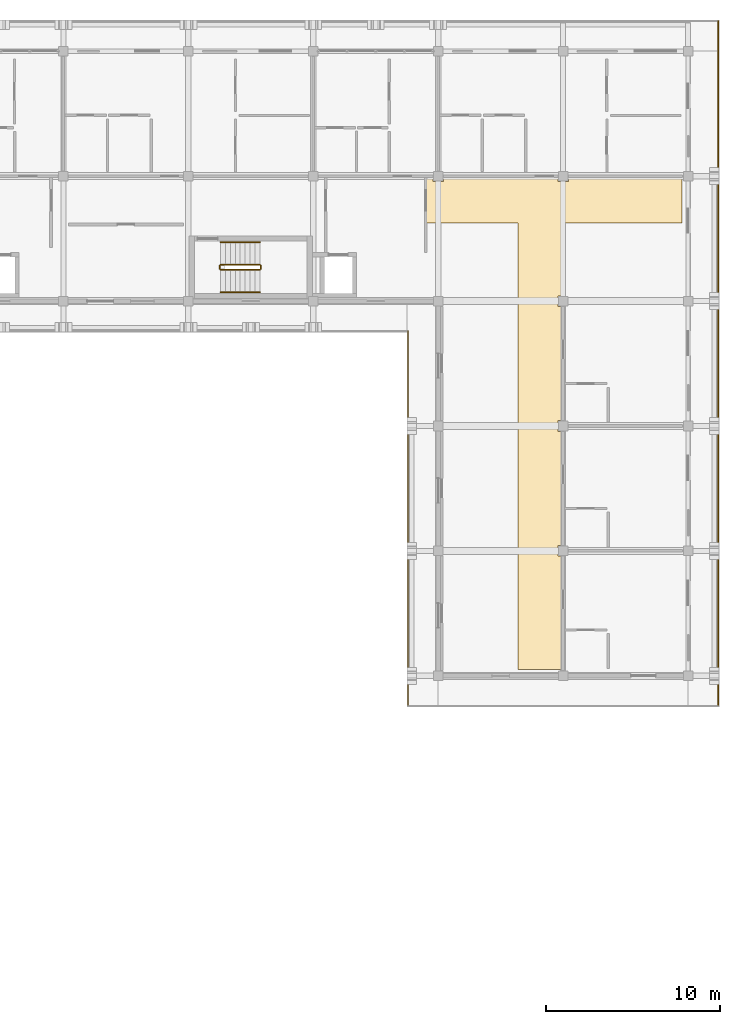
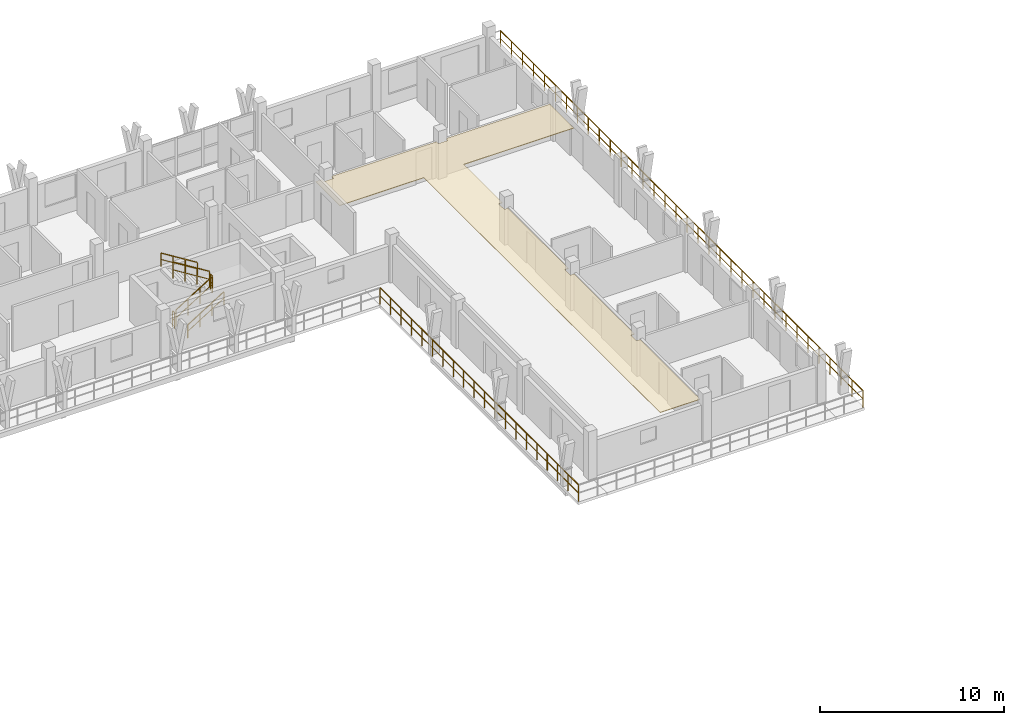
# One storey, part 66 of 67: 8 railings, 1 covering.
"""IFC4 building model written with IfcOpenShell, lengths in metres."""

from ifc_helpers import new_model, si_unit, direction, frame, origin, origin_2d, place, context, subcontext, project, spatial, polyline, rectangle, outline, extrude, material, layer, layer_set, type_object, element, save


model = new_model("IFC4")

# Units and contexts
model_context = context("Model", 3, precision=1e-05, world=origin(), true_north=direction((0.0, 1.0)))
body_context = subcontext(model_context, "Body", "Model", "MODEL_VIEW")
ifc_project = project(units=[si_unit("LENGTHUNIT", "METRE"), si_unit("AREAUNIT", "SQUARE_METRE"), si_unit("VOLUMEUNIT", "CUBIC_METRE"), si_unit("PLANEANGLEUNIT", "RADIAN"), si_unit("MASSUNIT", "GRAM", prefix="KILO")], contexts=[model_context])

# Site, building, storey
site_placement = place(None, origin())
site = spatial("IfcSite", under=ifc_project, at=site_placement, CompositionType="ELEMENT")
building_placement = place(site_placement, origin())
building = spatial("IfcBuilding", under=site, at=building_placement, Name="Suanplinth Sawtooth Commons", CompositionType="ELEMENT")
storey_placement = place(building_placement, frame((0.0, 0.0, 25.10009765625)))
storey = spatial("IfcBuildingStorey", under=building, at=storey_placement, Name="L07", CompositionType="ELEMENT", Elevation=25.10009765625)

# Covering
ifc_material_1 = material(Name="Mineral fibre acoustic tile")
ifc_layer = layer(ifc_material_1, 0.0400390625, Name="Perforated mineral-fibre acoustic suspended ceiling")
ifc_layer_set = layer_set([ifc_layer], Name="Mineral fibre acoustic tile")
covering_type = type_object("IfcCoveringType", Name="CV-CE01", PredefinedType="CEILING", material=ifc_layer_set)
covering_placement = place(storey_placement, frame((0.0, 0.0, 2.3798828125)))
element("IfcCovering", 1, at=covering_placement, inside=storey, type_object=covering_type, Name="L07 Block B Corridor Acoustic Ceiling", PredefinedType="CEILING", context=body_context, shape_type="SweptSolid", body=[
    extrude(outline(polyline([(172.4951171875, 115.1201171875), (172.4951171875, 114.89501953125), (173.10498046875, 114.89501953125), (173.10498046875, 115.1201171875), (179.695068359375, 115.1201171875), (179.695068359375, 114.89501953125), (180.304931640625, 114.89501953125), (180.304931640625, 115.1201171875), (186.840087890625, 115.1201171875), (186.840087890625, 112.5), (179.919921875, 112.5), (179.919921875, 108.304931640625), (179.695068359375, 108.304931640625), (179.695068359375, 107.695068359375), (179.919921875, 107.695068359375), (179.919921875, 101.10498046875), (179.695068359375, 101.10498046875), (179.695068359375, 100.4951171875), (179.919921875, 100.4951171875), (179.919921875, 93.905029296875), (179.695068359375, 93.905029296875), (179.695068359375, 93.294921875), (179.919921875, 93.294921875), (179.919921875, 86.760009765625), (177.39990234375, 86.760009765625), (177.39990234375, 112.5), (172.1201171875, 112.5), (172.1201171875, 115.1201171875), (172.4951171875, 115.1201171875)])), origin(), (0.0, 0.0, 1.0), 0.0400390625),
])

# Railings
ifc_material_2 = material(Name="Powder-coated galvanized steel", Category="steel")
railing_type_1 = type_object("IfcRailingType", Name="GR-01", PredefinedType="BALUSTRADE", material=ifc_material_2)
railing_1_placement = place(storey_placement, frame((171.06005859375, 84.659912109375, 0.0)))
element("IfcRailing", 2, at=railing_1_placement, inside=storey, type_object=railing_type_1, Name="L07 Block B Perimeter Balustrade 1", PredefinedType="BALUSTRADE", context=body_context, shape_type="SweptSolid", body=[
    extrude(rectangle(XDim=0.048095703125, YDim=0.048095703125, at=origin_2d()), frame((0.0, 0.0, 1.09619140625), z_axis=(0.0, 1.0, 0.0), x_axis=(-1.0, 0.0, 0.0)), (0.0, 0.0, 1.0), 21.60009765625),
    extrude(rectangle(XDim=0.03369140625, YDim=0.03369140625, at=origin_2d()), frame((0.0, 0.0, 0.56005859375), z_axis=(0.0, 1.0, 0.0), x_axis=(-1.0, 0.0, 0.0)), (0.0, 0.0, 1.0), 21.60009765625),
    extrude(rectangle(XDim=0.0419921875, YDim=0.0419921875, at=origin_2d()), origin(), (0.0, 0.0, 1.0), 1.072021484375),
    extrude(rectangle(XDim=0.0419921875, YDim=0.0419921875, at=origin_2d()), frame((0.0, 1.136962890625, 0.0)), (0.0, 0.0, 1.0), 1.072021484375),
    extrude(rectangle(XDim=0.0419921875, YDim=0.0419921875, at=origin_2d()), frame((0.0, 2.273681640625, 0.0)), (0.0, 0.0, 1.0), 1.072021484375),
    extrude(rectangle(XDim=0.0419921875, YDim=0.0419921875, at=origin_2d()), frame((0.0, 3.41064453125, 0.0)), (0.0, 0.0, 1.0), 1.072021484375),
    extrude(rectangle(XDim=0.0419921875, YDim=0.0419921875, at=origin_2d()), frame((0.0, 4.54736328125, 0.0)), (0.0, 0.0, 1.0), 1.072021484375),
    extrude(rectangle(XDim=0.0419921875, YDim=0.0419921875, at=origin_2d()), frame((0.0, 5.684326171875, 0.0)), (0.0, 0.0, 1.0), 1.072021484375),
    extrude(rectangle(XDim=0.0419921875, YDim=0.0419921875, at=origin_2d()), frame((0.0, 6.821044921875, 0.0)), (0.0, 0.0, 1.0), 1.072021484375),
    extrude(rectangle(XDim=0.0419921875, YDim=0.0419921875, at=origin_2d()), frame((0.0, 7.9580078125, 0.0)), (0.0, 0.0, 1.0), 1.072021484375),
    extrude(rectangle(XDim=0.0419921875, YDim=0.0419921875, at=origin_2d()), frame((0.0, 9.0947265625, 0.0)), (0.0, 0.0, 1.0), 1.072021484375),
    extrude(rectangle(XDim=0.0419921875, YDim=0.0419921875, at=origin_2d()), frame((0.0, 10.231689453125, 0.0)), (0.0, 0.0, 1.0), 1.072021484375),
    extrude(rectangle(XDim=0.0419921875, YDim=0.0419921875, at=origin_2d()), frame((0.0, 11.368408203125, 0.0)), (0.0, 0.0, 1.0), 1.072021484375),
    extrude(rectangle(XDim=0.0419921875, YDim=0.0419921875, at=origin_2d()), frame((0.0, 12.50537109375, 0.0)), (0.0, 0.0, 1.0), 1.072021484375),
    extrude(rectangle(XDim=0.0419921875, YDim=0.0419921875, at=origin_2d()), frame((0.0, 13.64208984375, 0.0)), (0.0, 0.0, 1.0), 1.072021484375),
    extrude(rectangle(XDim=0.0419921875, YDim=0.0419921875, at=origin_2d()), frame((0.0, 14.779052734375, 0.0)), (0.0, 0.0, 1.0), 1.072021484375),
    extrude(rectangle(XDim=0.0419921875, YDim=0.0419921875, at=origin_2d()), frame((0.0, 15.915771484375, 0.0)), (0.0, 0.0, 1.0), 1.072021484375),
    extrude(rectangle(XDim=0.0419921875, YDim=0.0419921875, at=origin_2d()), frame((0.0, 17.052734375, 0.0)), (0.0, 0.0, 1.0), 1.072021484375),
    extrude(rectangle(XDim=0.0419921875, YDim=0.0419921875, at=origin_2d()), frame((0.0, 18.189453125, 0.0)), (0.0, 0.0, 1.0), 1.072021484375),
    extrude(rectangle(XDim=0.0419921875, YDim=0.0419921875, at=origin_2d()), frame((0.0, 19.326416015625, 0.0)), (0.0, 0.0, 1.0), 1.072021484375),
    extrude(rectangle(XDim=0.0419921875, YDim=0.0419921875, at=origin_2d()), frame((0.0, 20.463134765625, 0.0)), (0.0, 0.0, 1.0), 1.072021484375),
    extrude(rectangle(XDim=0.0419921875, YDim=0.0419921875, at=origin_2d()), frame((0.0, 21.60009765625, 0.0)), (0.0, 0.0, 1.0), 1.072021484375),
])
railing_2_placement = place(storey_placement, frame((188.93994140625, 124.139892578125, 0.0)))
element("IfcRailing", 3, at=railing_2_placement, inside=storey, type_object=railing_type_1, Name="L07 Block B Perimeter Balustrade 5", PredefinedType="BALUSTRADE", context=body_context, shape_type="SweptSolid", body=[
    extrude(rectangle(XDim=0.048095703125, YDim=0.048095703125, at=origin_2d()), frame((0.0, 0.0, 1.09619140625), z_axis=(0.0, -1.0, 0.0), x_axis=(1.0, 0.0, 0.0)), (0.0, 0.0, 1.0), 39.47998046875),
    extrude(rectangle(XDim=0.03369140625, YDim=0.03369140625, at=origin_2d()), frame((0.0, 0.0, 0.56005859375), z_axis=(0.0, -1.0, 0.0), x_axis=(1.0, 0.0, 0.0)), (0.0, 0.0, 1.0), 39.47998046875),
    extrude(rectangle(XDim=0.0419921875, YDim=0.0419921875, at=origin_2d()), origin(), (0.0, 0.0, 1.0), 1.072021484375),
    extrude(rectangle(XDim=0.0419921875, YDim=0.0419921875, at=origin_2d()), frame((0.0, -1.1962890625, 0.0)), (0.0, 0.0, 1.0), 1.072021484375),
    extrude(rectangle(XDim=0.0419921875, YDim=0.0419921875, at=origin_2d()), frame((0.0, -2.392822265625, 0.0)), (0.0, 0.0, 1.0), 1.072021484375),
    extrude(rectangle(XDim=0.0419921875, YDim=0.0419921875, at=origin_2d()), frame((0.0, -3.589111328125, 0.0)), (0.0, 0.0, 1.0), 1.072021484375),
    extrude(rectangle(XDim=0.0419921875, YDim=0.0419921875, at=origin_2d()), frame((0.0, -4.785400390625, 0.0)), (0.0, 0.0, 1.0), 1.072021484375),
    extrude(rectangle(XDim=0.0419921875, YDim=0.0419921875, at=origin_2d()), frame((0.0, -5.98193359375, 0.0)), (0.0, 0.0, 1.0), 1.072021484375),
    extrude(rectangle(XDim=0.0419921875, YDim=0.0419921875, at=origin_2d()), frame((0.0, -7.17822265625, 0.0)), (0.0, 0.0, 1.0), 1.072021484375),
    extrude(rectangle(XDim=0.0419921875, YDim=0.0419921875, at=origin_2d()), frame((0.0, -8.37451171875, 0.0)), (0.0, 0.0, 1.0), 1.072021484375),
    extrude(rectangle(XDim=0.0419921875, YDim=0.0419921875, at=origin_2d()), frame((0.0, -9.57080078125, 0.0)), (0.0, 0.0, 1.0), 1.072021484375),
    extrude(rectangle(XDim=0.0419921875, YDim=0.0419921875, at=origin_2d()), frame((0.0, -10.767333984375, 0.0)), (0.0, 0.0, 1.0), 1.072021484375),
    extrude(rectangle(XDim=0.0419921875, YDim=0.0419921875, at=origin_2d()), frame((0.0, -11.963623046875, 0.0)), (0.0, 0.0, 1.0), 1.072021484375),
    extrude(rectangle(XDim=0.0419921875, YDim=0.0419921875, at=origin_2d()), frame((0.0, -13.159912109375, 0.0)), (0.0, 0.0, 1.0), 1.072021484375),
    extrude(rectangle(XDim=0.0419921875, YDim=0.0419921875, at=origin_2d()), frame((0.0, -14.3564453125, 0.0)), (0.0, 0.0, 1.0), 1.072021484375),
    extrude(rectangle(XDim=0.0419921875, YDim=0.0419921875, at=origin_2d()), frame((0.0, -15.552734375, 0.0)), (0.0, 0.0, 1.0), 1.072021484375),
    extrude(rectangle(XDim=0.0419921875, YDim=0.0419921875, at=origin_2d()), frame((0.0, -16.7490234375, 0.0)), (0.0, 0.0, 1.0), 1.072021484375),
    extrude(rectangle(XDim=0.0419921875, YDim=0.0419921875, at=origin_2d()), frame((0.0, -17.945556640625, 0.0)), (0.0, 0.0, 1.0), 1.072021484375),
    extrude(rectangle(XDim=0.0419921875, YDim=0.0419921875, at=origin_2d()), frame((0.0, -19.141845703125, 0.0)), (0.0, 0.0, 1.0), 1.072021484375),
    extrude(rectangle(XDim=0.0419921875, YDim=0.0419921875, at=origin_2d()), frame((0.0, -20.338134765625, 0.0)), (0.0, 0.0, 1.0), 1.072021484375),
    extrude(rectangle(XDim=0.0419921875, YDim=0.0419921875, at=origin_2d()), frame((0.0, -21.534423828125, 0.0)), (0.0, 0.0, 1.0), 1.072021484375),
    extrude(rectangle(XDim=0.0419921875, YDim=0.0419921875, at=origin_2d()), frame((0.0, -22.73095703125, 0.0)), (0.0, 0.0, 1.0), 1.072021484375),
    extrude(rectangle(XDim=0.0419921875, YDim=0.0419921875, at=origin_2d()), frame((0.0, -23.92724609375, 0.0)), (0.0, 0.0, 1.0), 1.072021484375),
    extrude(rectangle(XDim=0.0419921875, YDim=0.0419921875, at=origin_2d()), frame((0.0, -25.12353515625, 0.0)), (0.0, 0.0, 1.0), 1.072021484375),
    extrude(rectangle(XDim=0.0419921875, YDim=0.0419921875, at=origin_2d()), frame((0.0, -26.320068359375, 0.0)), (0.0, 0.0, 1.0), 1.072021484375),
    extrude(rectangle(XDim=0.0419921875, YDim=0.0419921875, at=origin_2d()), frame((0.0, -27.516357421875, 0.0)), (0.0, 0.0, 1.0), 1.072021484375),
    extrude(rectangle(XDim=0.0419921875, YDim=0.0419921875, at=origin_2d()), frame((0.0, -28.712646484375, 0.0)), (0.0, 0.0, 1.0), 1.072021484375),
    extrude(rectangle(XDim=0.0419921875, YDim=0.0419921875, at=origin_2d()), frame((0.0, -29.9091796875, 0.0)), (0.0, 0.0, 1.0), 1.072021484375),
    extrude(rectangle(XDim=0.0419921875, YDim=0.0419921875, at=origin_2d()), frame((0.0, -31.10546875, 0.0)), (0.0, 0.0, 1.0), 1.072021484375),
    extrude(rectangle(XDim=0.0419921875, YDim=0.0419921875, at=origin_2d()), frame((0.0, -32.3017578125, 0.0)), (0.0, 0.0, 1.0), 1.072021484375),
    extrude(rectangle(XDim=0.0419921875, YDim=0.0419921875, at=origin_2d()), frame((0.0, -33.498046875, 0.0)), (0.0, 0.0, 1.0), 1.072021484375),
    extrude(rectangle(XDim=0.0419921875, YDim=0.0419921875, at=origin_2d()), frame((0.0, -34.694580078125, 0.0)), (0.0, 0.0, 1.0), 1.072021484375),
    extrude(rectangle(XDim=0.0419921875, YDim=0.0419921875, at=origin_2d()), frame((0.0, -35.890869140625, 0.0)), (0.0, 0.0, 1.0), 1.072021484375),
    extrude(rectangle(XDim=0.0419921875, YDim=0.0419921875, at=origin_2d()), frame((0.0, -37.087158203125, 0.0)), (0.0, 0.0, 1.0), 1.072021484375),
    extrude(rectangle(XDim=0.0419921875, YDim=0.0419921875, at=origin_2d()), frame((0.0, -38.28369140625, 0.0)), (0.0, 0.0, 1.0), 1.072021484375),
    extrude(rectangle(XDim=0.0419921875, YDim=0.0419921875, at=origin_2d()), frame((0.0, -39.47998046875, 0.0)), (0.0, 0.0, 1.0), 1.072021484375),
])
ifc_material_3 = material(Name="Stainless steel Grade 304", Category="steel")
railing_type_2 = type_object("IfcRailingType", Name="GR-04", PredefinedType="GUARDRAIL", material=ifc_material_3)
railing_3_placement = place(storey_placement, frame((160.25, 109.800048828125, 0.177734375)))
element("IfcRailing", 4, at=railing_3_placement, inside=storey, type_object=railing_type_2, Name="L07 ST-E2 Guard 1", PredefinedType="GUARDRAIL", context=body_context, shape_type="SweptSolid", body=[
    extrude(rectangle(XDim=0.048095703125, YDim=0.048095703125, at=origin_2d()), frame((0.0, 0.0, 1.076171875), z_axis=(0.848482842525, 0.0, 0.529222888715), x_axis=(0.0, 1.0, 0.0)), (0.0, 0.0, 1.0), 2.687255859375),
    extrude(rectangle(XDim=0.03369140625, YDim=0.03369140625, at=origin_2d()), frame((0.0, 0.0, 0.550048828125), z_axis=(0.848482842525, 0.0, 0.529222888715), x_axis=(0.0, 1.0, 0.0)), (0.0, 0.0, 1.0), 2.687255859375),
    extrude(rectangle(XDim=0.0419921875, YDim=0.0419921875, at=origin_2d()), origin(), (0.0, 0.0, 1.0), 1.052001953125),
    extrude(rectangle(XDim=0.0419921875, YDim=0.0419921875, at=origin_2d()), frame((0.760009765625, 0.0, 0.47412109375)), (0.0, 0.0, 1.0), 1.052001953125),
    extrude(rectangle(XDim=0.0419921875, YDim=0.0419921875, at=origin_2d()), frame((1.52001953125, 0.0, 0.947998046875)), (0.0, 0.0, 1.0), 1.052001953125),
    extrude(rectangle(XDim=0.0419921875, YDim=0.0419921875, at=origin_2d()), frame((2.280029296875, 0.0, 1.422119140625)), (0.0, 0.0, 1.0), 1.052001953125),
])
railing_4_placement = place(storey_placement, frame((162.580078125, 109.85009765625, 1.599853515625)))
element("IfcRailing", 5, at=railing_4_placement, inside=storey, type_object=railing_type_2, Name="L07 ST-E2 Guard 2", PredefinedType="GUARDRAIL", context=body_context, shape_type="SweptSolid", body=[
    extrude(rectangle(XDim=0.048095703125, YDim=0.048095703125, at=origin_2d()), frame((0.0, 0.0, 1.076171875), z_axis=(0.0, 1.0, 0.0), x_axis=(-1.0, 0.0, 0.0)), (0.0, 0.0, 1.0), 0.199951171875),
    extrude(rectangle(XDim=0.03369140625, YDim=0.03369140625, at=origin_2d()), frame((0.0, 0.0, 0.550048828125), z_axis=(0.0, 1.0, 0.0), x_axis=(-1.0, 0.0, 0.0)), (0.0, 0.0, 1.0), 0.199951171875),
    extrude(rectangle(XDim=0.0419921875, YDim=0.0419921875, at=origin_2d()), origin(), (0.0, 0.0, 1.0), 1.052001953125),
    extrude(rectangle(XDim=0.0419921875, YDim=0.0419921875, at=origin_2d()), frame((0.0, 0.199951171875, 0.0)), (0.0, 0.0, 1.0), 1.052001953125),
])
railing_5_placement = place(storey_placement, frame((162.530029296875, 110.10009765625, 1.777587890625)))
element("IfcRailing", 6, at=railing_5_placement, inside=storey, type_object=railing_type_2, Name="L07 ST-E2 Guard 3", PredefinedType="GUARDRAIL", context=body_context, shape_type="SweptSolid", body=[
    extrude(rectangle(XDim=0.048095703125, YDim=0.048095703125, at=origin_2d()), frame((0.0, 0.0, 1.076171875), z_axis=(-0.848442045328, 0.0, 0.529288291689), x_axis=(0.0, -1.0, 0.0)), (0.0, 0.0, 1.0), 2.687255859375),
    extrude(rectangle(XDim=0.03369140625, YDim=0.03369140625, at=origin_2d()), frame((0.0, 0.0, 0.550048828125), z_axis=(-0.848442045328, 0.0, 0.529288291689), x_axis=(0.0, -1.0, 0.0)), (0.0, 0.0, 1.0), 2.687255859375),
    extrude(rectangle(XDim=0.0419921875, YDim=0.0419921875, at=origin_2d()), origin(), (0.0, 0.0, 1.0), 1.052001953125),
    extrude(rectangle(XDim=0.0419921875, YDim=0.0419921875, at=origin_2d()), frame((-0.760009765625, 0.0, 0.47412109375)), (0.0, 0.0, 1.0), 1.052001953125),
    extrude(rectangle(XDim=0.0419921875, YDim=0.0419921875, at=origin_2d()), frame((-1.52001953125, 0.0, 0.9482421875)), (0.0, 0.0, 1.0), 1.052001953125),
    extrude(rectangle(XDim=0.0419921875, YDim=0.0419921875, at=origin_2d()), frame((-2.280029296875, 0.0, 1.42236328125)), (0.0, 0.0, 1.0), 1.052001953125),
])
railing_6_placement = place(storey_placement, frame((160.199951171875, 109.85009765625, 0.0)))
element("IfcRailing", 7, at=railing_6_placement, inside=storey, type_object=railing_type_2, Name="L07 ST-E2 Guard 4", PredefinedType="GUARDRAIL", context=body_context, shape_type="SweptSolid", body=[
    extrude(rectangle(XDim=0.048095703125, YDim=0.048095703125, at=origin_2d()), frame((0.0, 0.0, 1.076171875), z_axis=(0.0, 1.0, 0.0), x_axis=(-1.0, 0.0, 0.0)), (0.0, 0.0, 1.0), 0.199951171875),
    extrude(rectangle(XDim=0.03369140625, YDim=0.03369140625, at=origin_2d()), frame((0.0, 0.0, 0.550048828125), z_axis=(0.0, 1.0, 0.0), x_axis=(-1.0, 0.0, 0.0)), (0.0, 0.0, 1.0), 0.199951171875),
    extrude(rectangle(XDim=0.0419921875, YDim=0.0419921875, at=origin_2d()), origin(), (0.0, 0.0, 1.0), 1.052001953125),
    extrude(rectangle(XDim=0.0419921875, YDim=0.0419921875, at=origin_2d()), frame((0.0, 0.199951171875, 0.0)), (0.0, 0.0, 1.0), 1.052001953125),
])
railing_type_3 = type_object("IfcRailingType", Name="HR-01", PredefinedType="HANDRAIL", material=ifc_material_3)
railing_7_placement = place(storey_placement, frame((160.25, 108.5, 0.177734375)))
element("IfcRailing", 8, at=railing_7_placement, inside=storey, type_object=railing_type_3, Name="L07 ST-E2 Handrail 1", PredefinedType="HANDRAIL", context=body_context, shape_type="SweptSolid", body=[
    extrude(rectangle(XDim=0.048095703125, YDim=0.048095703125, at=origin_2d()), frame((0.0, 0.0, 0.8759765625), z_axis=(0.848482842525, 0.0, 0.529222888715), x_axis=(0.0, 1.0, 0.0)), (0.0, 0.0, 1.0), 2.687255859375),
    extrude(rectangle(XDim=0.03369140625, YDim=0.03369140625, at=origin_2d()), frame((0.0, 0.0, 0.449951171875), z_axis=(0.848482842525, 0.0, 0.529222888715), x_axis=(0.0, 1.0, 0.0)), (0.0, 0.0, 1.0), 2.687255859375),
    extrude(rectangle(XDim=0.0419921875, YDim=0.0419921875, at=origin_2d()), origin(), (0.0, 0.0, 1.0), 0.851806640625),
    extrude(rectangle(XDim=0.0419921875, YDim=0.0419921875, at=origin_2d()), frame((0.760009765625, 0.0, 0.47412109375)), (0.0, 0.0, 1.0), 0.851806640625),
    extrude(rectangle(XDim=0.0419921875, YDim=0.0419921875, at=origin_2d()), frame((1.52001953125, 0.0, 0.947998046875)), (0.0, 0.0, 1.0), 0.851806640625),
    extrude(rectangle(XDim=0.0419921875, YDim=0.0419921875, at=origin_2d()), frame((2.280029296875, 0.0, 1.422119140625)), (0.0, 0.0, 1.0), 0.851806640625),
])
railing_8_placement = place(storey_placement, frame((162.530029296875, 111.39990234375, 1.777587890625)))
element("IfcRailing", 9, at=railing_8_placement, inside=storey, type_object=railing_type_3, Name="L07 ST-E2 Handrail 2", PredefinedType="HANDRAIL", context=body_context, shape_type="SweptSolid", body=[
    extrude(rectangle(XDim=0.048095703125, YDim=0.048095703125, at=origin_2d()), frame((0.0, 0.0, 0.8759765625), z_axis=(-0.848442045328, 0.0, 0.529288291689), x_axis=(0.0, -1.0, 0.0)), (0.0, 0.0, 1.0), 2.687255859375),
    extrude(rectangle(XDim=0.03369140625, YDim=0.03369140625, at=origin_2d()), frame((0.0, 0.0, 0.449951171875), z_axis=(-0.848442045328, 0.0, 0.529288291689), x_axis=(0.0, -1.0, 0.0)), (0.0, 0.0, 1.0), 2.687255859375),
    extrude(rectangle(XDim=0.0419921875, YDim=0.0419921875, at=origin_2d()), origin(), (0.0, 0.0, 1.0), 0.851806640625),
    extrude(rectangle(XDim=0.0419921875, YDim=0.0419921875, at=origin_2d()), frame((-0.760009765625, 0.0, 0.47412109375)), (0.0, 0.0, 1.0), 0.851806640625),
    extrude(rectangle(XDim=0.0419921875, YDim=0.0419921875, at=origin_2d()), frame((-1.52001953125, 0.0, 0.9482421875)), (0.0, 0.0, 1.0), 0.851806640625),
    extrude(rectangle(XDim=0.0419921875, YDim=0.0419921875, at=origin_2d()), frame((-2.280029296875, 0.0, 1.42236328125)), (0.0, 0.0, 1.0), 0.851806640625),
])

save(model, "model.ifc")
